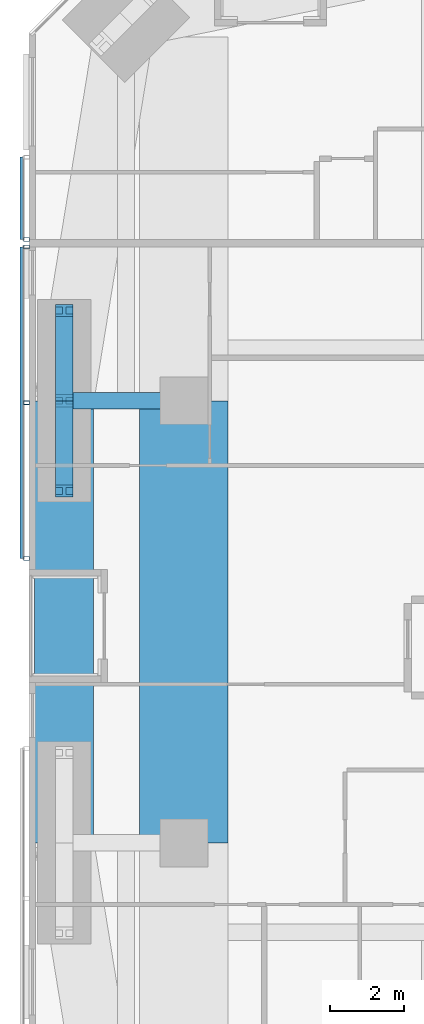
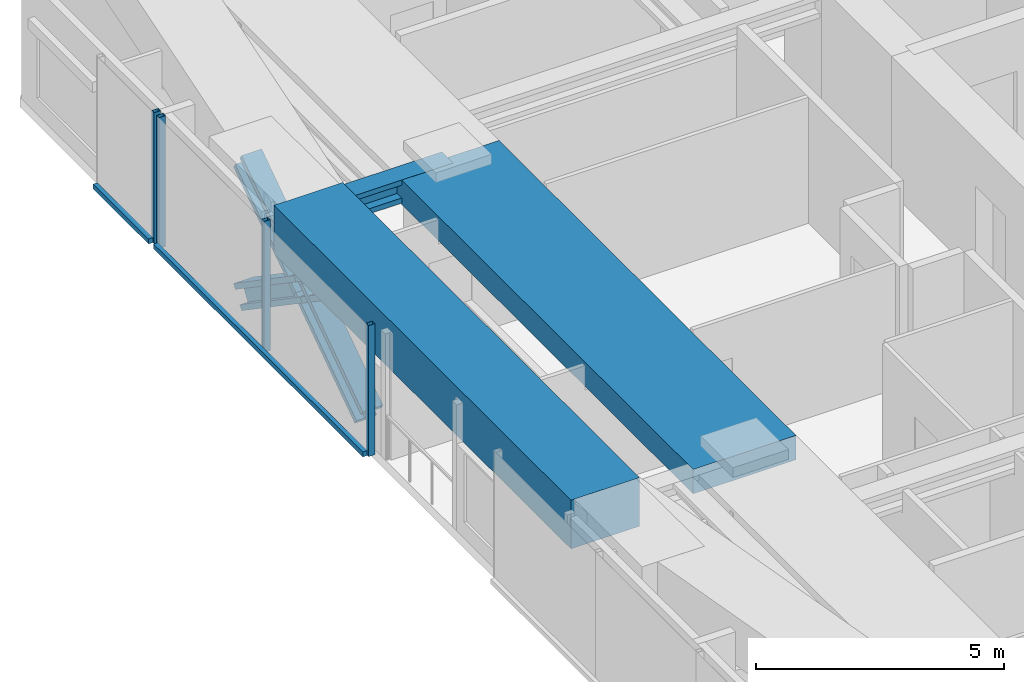
# One storey, part 6 of 23: 10 members, 3 beams, 2 elements without a shape of their own.
"""IFC4 building model written with IfcOpenShell, lengths in metres."""

from ifc_helpers import new_model, si_unit, direction, frame, origin, origin_2d, place, context, subcontext, project, spatial, rectangle, hollow_rectangle, i_section, extrude, material, material_profile, profile_set, type_object, element, aggregate, save


model = new_model("IFC4")

# Units and contexts
model_context = context("Model", 3, precision=1e-05, world=origin(), true_north=direction((0.0, 1.0)))
body_context = subcontext(model_context, "Body", "Model", "MODEL_VIEW")
ifc_project = project(units=[si_unit("LENGTHUNIT", "METRE"), si_unit("AREAUNIT", "SQUARE_METRE"), si_unit("VOLUMEUNIT", "CUBIC_METRE"), si_unit("PLANEANGLEUNIT", "RADIAN"), si_unit("MASSUNIT", "GRAM", prefix="KILO")], contexts=[model_context])

# Site, building, storey
site_placement = place(None, origin())
site = spatial("IfcSite", under=ifc_project, at=site_placement, CompositionType="ELEMENT")
building_placement = place(site_placement, origin())
building = spatial("IfcBuilding", under=site, at=building_placement, Name="Jalousie Tower", CompositionType="ELEMENT")
storey_placement = place(building_placement, frame((0.0, 0.0, 114.89990234375)))
storey = spatial("IfcBuildingStorey", under=building, at=storey_placement, Name="L31", CompositionType="ELEMENT", Elevation=114.89990234375)

# Beam
ifc_material_1 = material(Name="Steel ASTM A992 Grade 50", Category="steel")
ifc_material_profile_1 = material_profile(ifc_material_1, i_section(OverallWidth=0.45458984375, OverallDepth=0.569091796875, WebThickness=0.077880859375, FlangeThickness=0.124755859375, at=origin_2d()), Name="W14X730")
ifc_profile_set_1 = profile_set([ifc_material_profile_1], Name="Steel ASTM A992 Grade 50")
beam_type_1 = type_object("IfcBeamType", Name="LEAN COLLECTOR W14X730", PredefinedType="BEAM", material=ifc_profile_set_1)
beam_1_placement = place(storey_placement, frame((6.949951171875, 25.0, 2.82568359375), z_axis=(1.0, 0.0, 0.0), x_axis=(0.0, 1.0, 0.0)))
element("IfcBeam", 1, at=beam_1_placement, inside=storey, type_object=beam_type_1, Name="Lean collector under L32", PredefinedType="BEAM", context=body_context, shape_type="SweptSolid", body=[
    extrude(i_section(OverallWidth=0.45458984375, OverallDepth=0.569091796875, WebThickness=0.077880859375, FlangeThickness=0.124755859375, at=origin_2d()), origin(), (0.0, 0.0, 1.0), 3.25),
])

# Members
ifc_material_2 = material(Name="Steel ASTM A992 Grade 50", Category="steel")
ifc_material_profile_2 = material_profile(ifc_material_2, i_section(OverallWidth=0.472412109375, OverallDepth=0.5791015625, WebThickness=0.094970703125, FlangeThickness=0.1298828125, at=origin_2d()), Name="W14X808")
ifc_profile_set_2 = profile_set([ifc_material_profile_2], Name="Steel ASTM A992 Grade 50")
member_type_1 = type_object("IfcMemberType", Name="PERIMETER BRACE W14X808", PredefinedType="BRACE", material=ifc_profile_set_2)
for number, where, z_axis, x_axis, name in (
    (2, (6.949951171875, 22.550048828125, -0.599853515625), (0.0, 0.825500916831, 0.564400776321), (-1.0, 0.0, 0.0), "Perimeter brace 13 L31 part 1"),
    (3, (6.949951171875, 25.0, 1.0751953125), (0.0, 0.825539243753, 0.564344714713), (-1.0, 0.0, 0.0), "Perimeter brace 13 L31 part 2"),
    (4, (6.949951171875, 27.449951171875, -0.599853515625), (0.0, -0.825500916831, 0.564400776321), (1.0, 0.0, 0.0), "Perimeter brace 13 L31 part 3"),
    (5, (6.949951171875, 25.0, 1.0751953125), (0.0, -0.825539243753, 0.564344714713), (1.0, 0.0, 0.0), "Perimeter brace 13 L31 part 4"),
):
    element("IfcMember", number, at=place(storey_placement, frame(where, z_axis=z_axis, x_axis=x_axis)), inside=storey, type_object=member_type_1, Name=name, PredefinedType="BRACE", context=body_context, shape_type="SweptSolid", body=[
        extrude(i_section(OverallWidth=0.472412109375, OverallDepth=0.5791015625, WebThickness=0.094970703125, FlangeThickness=0.1298828125, at=origin_2d()), origin(), (0.0, 0.0, 1.0), 2.9677734375),
    ])

# Beams
ifc_material_3 = material(Name="Concrete f'c 40 MPa", Category="concrete")
ifc_material_profile_3 = material_profile(ifc_material_3, rectangle(XDim=1.60009765625, YDim=1.199951171875, at=origin_2d()), Name="RC 1600x1200")
ifc_profile_set_3 = profile_set([ifc_material_profile_3], Name="Concrete f'c 40 MPa")
beam_type_2 = type_object("IfcBeamType", Name="RC BEAM 1600x1200", PredefinedType="BEAM", material=ifc_profile_set_3)
beam_2_placement = place(storey_placement, frame((6.949951171875, 25.0, 2.75), z_axis=(0.0, -1.0, 0.0), x_axis=(1.0, 0.0, 0.0)))
element("IfcBeam", 6, at=beam_2_placement, inside=storey, type_object=beam_type_2, Name="Edge band beam 13-14 under L32", PredefinedType="BEAM", context=body_context, shape_type="SweptSolid", body=[
    extrude(rectangle(XDim=1.60009765625, YDim=1.199951171875, at=origin_2d()), origin(), (0.0, 0.0, 1.0), 12.0),
])
ifc_material_4 = material(Name="Concrete f'c 40 MPa", Category="concrete")
ifc_material_profile_4 = material_profile(ifc_material_4, rectangle(XDim=2.39990234375, YDim=0.60009765625, at=origin_2d()), Name="RC 2400x600")
ifc_profile_set_4 = profile_set([ifc_material_profile_4], Name="Concrete f'c 40 MPa")
beam_type_3 = type_object("IfcBeamType", Name="RC BEAM 2400x600", PredefinedType="BEAM", material=ifc_profile_set_4)
beam_3_placement = place(storey_placement, frame((10.199951171875, 13.0, 2.81005859375), z_axis=(0.0, 1.0, 0.0), x_axis=(-1.0, 0.0, 0.0)))
element("IfcBeam", 7, at=beam_3_placement, inside=storey, type_object=beam_type_3, Name="Floor band beam under L32", PredefinedType="BEAM", context=body_context, shape_type="SweptSolid", body=[
    extrude(rectangle(XDim=2.39990234375, YDim=0.60009765625, at=origin_2d()), origin(), (0.0, 0.0, 1.0), 12.0),
])

# Curtain wall, member
ifc_material_5 = material(Name="Perforated aluminium sheet", Category="aluminium")
curtain_wall_type = type_object("IfcCurtainWallType", Name="SOLAR SCREEN SS-1", PredefinedType="USERDEFINED", material=ifc_material_5)
curtain_wall_1_placement = place(storey_placement, origin())
curtain_wall_1 = element("IfcCurtainWall", 8, at=curtain_wall_1_placement, inside=storey, type_object=curtain_wall_type, Name="Solar screen L31", ObjectType="SOLAR SCREEN SS-1", PredefinedType="USERDEFINED")
ifc_material_6 = material(Name="Steel ASTM A500 Grade C", Category="steel")
ifc_material_profile_5 = material_profile(ifc_material_6, hollow_rectangle(XDim=0.1015625, YDim=0.15234375, WallThickness=0.00634765625, at=origin_2d()), Name="HSS6X4X1/4")
ifc_profile_set_5 = profile_set([ifc_material_profile_5], Name="Steel ASTM A500 Grade C")
member_type_2 = type_object("IfcMemberType", Name="SOLAR SCREEN SS-1 MULLION", PredefinedType="MULLION", material=ifc_profile_set_5)
member_1_placement = place(storey_placement, frame((5.9287109375, 29.375, -0.119873046875), z_axis=(0.0, 0.0, 1.0), x_axis=(0.0, -1.0, 0.0)))
member_1 = element("IfcMember", 9, at=member_1_placement, type_object=member_type_2, Name="SS1 post 2", PredefinedType="MULLION", context=body_context, shape_type="SweptSolid", body=[
    extrude(hollow_rectangle(XDim=0.1015625, YDim=0.15234375, WallThickness=0.00634765625, at=origin_2d()), origin(), (0.0, 0.0, 1.0), 3.22998046875),
])

# Curtain wall, members
curtain_wall_2_placement = place(storey_placement, origin())
curtain_wall_2 = element("IfcCurtainWall", 10, at=curtain_wall_2_placement, inside=storey, type_object=curtain_wall_type, Name="Solar screen L31", ObjectType="SOLAR SCREEN SS-1", PredefinedType="USERDEFINED")
member_2_placement = place(storey_placement, frame((5.9287109375, 29.175048828125, -0.119873046875), z_axis=(0.0, 0.0, 1.0), x_axis=(0.0, -1.0, 0.0)))
member_2 = element("IfcMember", 11, at=member_2_placement, type_object=member_type_2, Name="SS1 post 1", PredefinedType="MULLION", context=body_context, shape_type="SweptSolid", body=[
    extrude(hollow_rectangle(XDim=0.1015625, YDim=0.15234375, WallThickness=0.00634765625, at=origin_2d()), origin(), (0.0, 0.0, 1.0), 3.22998046875),
])
member_3_placement = place(storey_placement, frame((5.9287109375, 24.94580078125, -0.119873046875), z_axis=(0.0, 0.0, 1.0), x_axis=(0.0, -1.0, 0.0)))
member_3 = element("IfcMember", 12, at=member_3_placement, type_object=member_type_2, Name="SS1 post 2", PredefinedType="MULLION", context=body_context, shape_type="SweptSolid", body=[
    extrude(hollow_rectangle(XDim=0.1015625, YDim=0.15234375, WallThickness=0.00634765625, at=origin_2d()), origin(), (0.0, 0.0, 1.0), 3.22998046875),
])
member_4_placement = place(storey_placement, frame((5.9287109375, 20.716796875, -0.119873046875), z_axis=(0.0, 0.0, 1.0), x_axis=(0.0, -1.0, 0.0)))
member_4 = element("IfcMember", 13, at=member_4_placement, type_object=member_type_2, Name="SS1 post 3", PredefinedType="MULLION", context=body_context, shape_type="SweptSolid", body=[
    extrude(hollow_rectangle(XDim=0.1015625, YDim=0.15234375, WallThickness=0.00634765625, at=origin_2d()), origin(), (0.0, 0.0, 1.0), 3.22998046875),
])

# Member
ifc_material_7 = material(Name="Extruded aluminium screen rail", Category="aluminium")
ifc_material_profile_6 = material_profile(ifc_material_7, rectangle(XDim=0.1015625, YDim=0.1201171875, at=origin_2d()), Name="RAIL 102x120")
ifc_profile_set_6 = profile_set([ifc_material_profile_6], Name="Extruded aluminium screen rail")
member_type_3 = type_object("IfcMemberType", Name="SOLAR SCREEN SS-1 TRANSOM", PredefinedType="USERDEFINED", material=ifc_profile_set_6)
member_5_placement = place(storey_placement, frame((5.8017578125, 31.6123046875, -0.059814453125), z_axis=(0.0, -1.0, 0.0), x_axis=(1.0, 0.0, 0.0)))
member_5 = element("IfcMember", 14, at=member_5_placement, type_object=member_type_3, Name="SS1 rail", ObjectType="TRANSOM", PredefinedType="USERDEFINED", context=body_context, shape_type="SweptSolid", body=[
    extrude(rectangle(XDim=0.1015625, YDim=0.1201171875, at=origin_2d()), origin(), (0.0, 0.0, 1.0), 2.2373046875),
])

aggregate(curtain_wall_1, [member_1, member_5])

member_6_placement = place(storey_placement, frame((5.8017578125, 29.175048828125, -0.059814453125), z_axis=(0.0, -1.0, 0.0), x_axis=(1.0, 0.0, 0.0)))
member_6 = element("IfcMember", 15, at=member_6_placement, type_object=member_type_3, Name="SS1 rail", ObjectType="TRANSOM", PredefinedType="USERDEFINED", context=body_context, shape_type="SweptSolid", body=[
    extrude(rectangle(XDim=0.1015625, YDim=0.1201171875, at=origin_2d()), origin(), (0.0, 0.0, 1.0), 8.458251953125),
])

aggregate(curtain_wall_2, [member_2, member_3, member_4, member_6])

save(model, "model.ifc")
